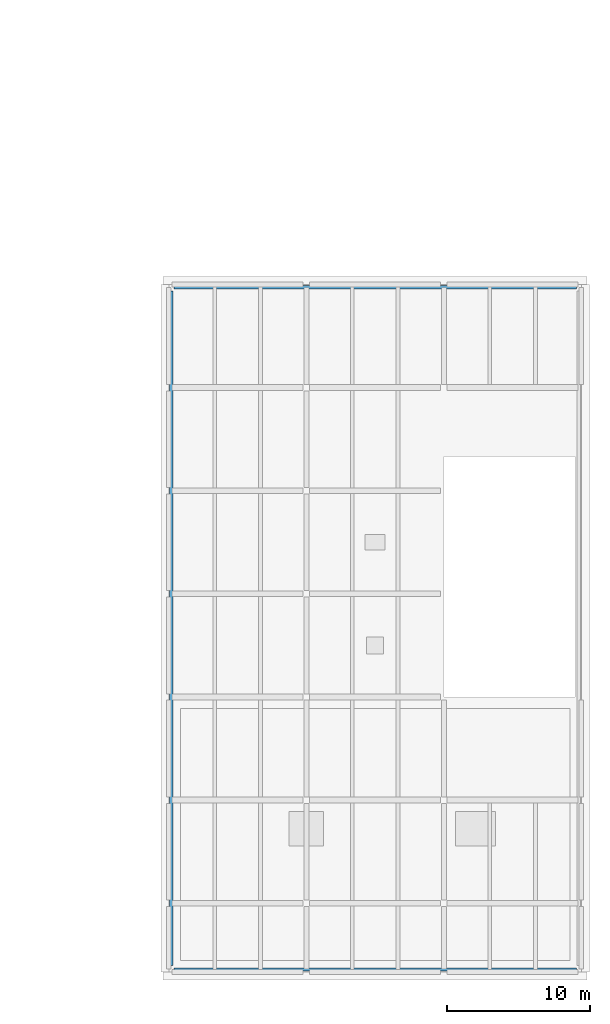
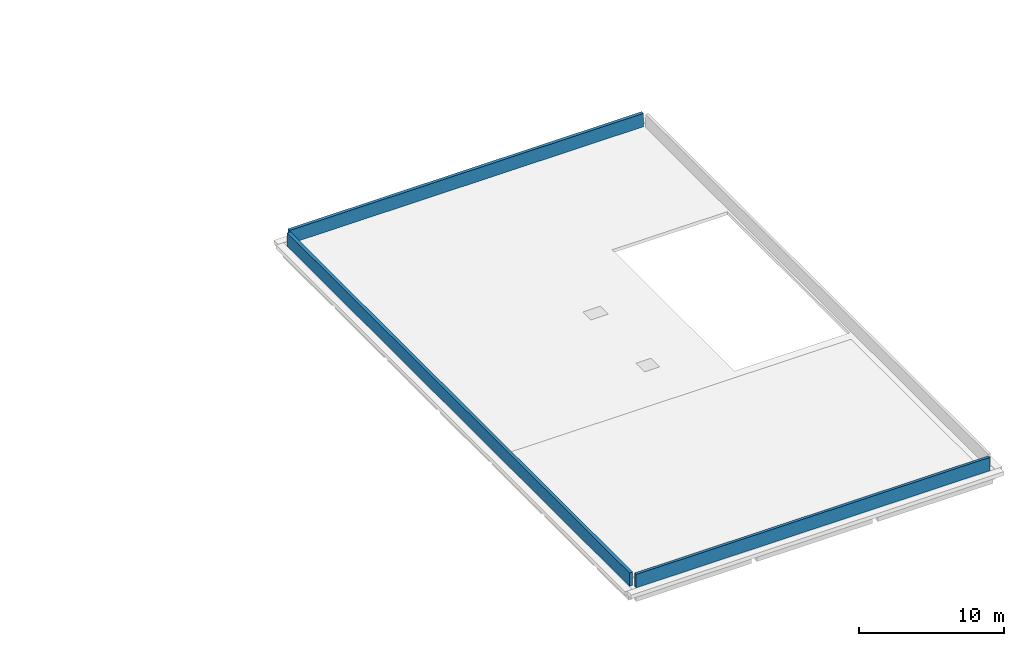
# One storey, part 15 of 24: 3 walls.
"""IFC4 building model written with IfcOpenShell, lengths in metres."""

from ifc_helpers import new_model, si_unit, direction, frame, frame_2d, origin, place, context, subcontext, project, spatial, rectangle, extrude, material, layer, layer_set, type_object, element, save


model = new_model("IFC4")

# Units and contexts
model_context = context("Model", 3, precision=1e-05, world=origin(), true_north=direction((0.0, 1.0)))
body_context = subcontext(model_context, "Body", "Model", "MODEL_VIEW")
ifc_project = project(units=[si_unit("LENGTHUNIT", "METRE"), si_unit("AREAUNIT", "SQUARE_METRE"), si_unit("VOLUMEUNIT", "CUBIC_METRE"), si_unit("PLANEANGLEUNIT", "RADIAN"), si_unit("MASSUNIT", "GRAM", prefix="KILO")], contexts=[model_context])

# Site, building, storey
site_placement = place(None, origin())
site = spatial("IfcSite", under=ifc_project, at=site_placement, CompositionType="ELEMENT")
building_placement = place(site_placement, origin())
building = spatial("IfcBuilding", under=site, at=building_placement, Name="Asteropetra Specialist Clinic", CompositionType="ELEMENT")
storey_placement = place(building_placement, frame((0.0, 0.0, 20.739990234375)))
storey = spatial("IfcBuildingStorey", under=building, at=storey_placement, Name="L05", CompositionType="ELEMENT", Elevation=20.739990234375)

# Walls
ifc_material_1 = material(Name="Piraeus poros limestone", Category="masonry")
ifc_layer_1 = layer(ifc_material_1, 0.219970703125)
ifc_layer_set_1 = layer_set([ifc_layer_1], Name="Piraeus poros limestone")
wall_type_1 = type_object("IfcWallType", Name="EW-PARAPET-220", PredefinedType="PARAPET", material=ifc_layer_set_1)
wall_1_placement = place(storey_placement, frame((105.949951171875, 0.179931640625, 0.0), z_axis=(0.0, 0.0, 1.0), x_axis=(1.0, 0.0, 0.0)))
element("IfcWall", 1, at=wall_1_placement, inside=storey, type_object=wall_type_1, Name="Roof Parapet WP-14", PredefinedType="PARAPET", context=body_context, shape_type="SweptSolid", body=[
    extrude(rectangle(XDim=28.10009765625, YDim=0.219970703125, at=frame_2d((14.050048828125, 0.0))), origin(), (0.0, 0.0, 1.0), 1.1201171875),
])
ifc_material_2 = material(Name="Pentelic marble ashlar", Category="masonry")
ifc_layer_2 = layer(ifc_material_2, 0.25)
ifc_layer_set_2 = layer_set([ifc_layer_2], Name="Pentelic marble ashlar")
wall_type_2 = type_object("IfcWallType", Name="EW-PARAPET-250", PredefinedType="PARAPET", material=ifc_layer_set_2)
wall_2_placement = place(storey_placement, frame((105.949951171875, 47.820068359375, 0.0), z_axis=(0.0, 0.0, 1.0), x_axis=(1.0, 0.0, 0.0)))
element("IfcWall", 2, at=wall_2_placement, inside=storey, type_object=wall_type_2, Name="Roof Parapet WP-13", PredefinedType="PARAPET", context=body_context, shape_type="SweptSolid", body=[
    extrude(rectangle(XDim=28.10009765625, YDim=0.25, at=frame_2d((14.050048828125, 0.0))), origin(), (0.0, 0.0, 1.0), 1.1201171875),
])
wall_3_placement = place(storey_placement, frame((105.780029296875, 0.449951171875, 0.0), z_axis=(0.0, 0.0, 1.0), x_axis=(0.0, 1.0, 0.0)))
element("IfcWall", 3, at=wall_3_placement, inside=storey, type_object=wall_type_2, Name="Roof Parapet WP-15", PredefinedType="PARAPET", context=body_context, shape_type="SweptSolid", body=[
    extrude(rectangle(XDim=47.10009765625, YDim=0.25, at=frame_2d((23.550048828125, 0.0))), origin(), (0.0, 0.0, 1.0), 1.1201171875),
])

save(model, "model.ifc")
